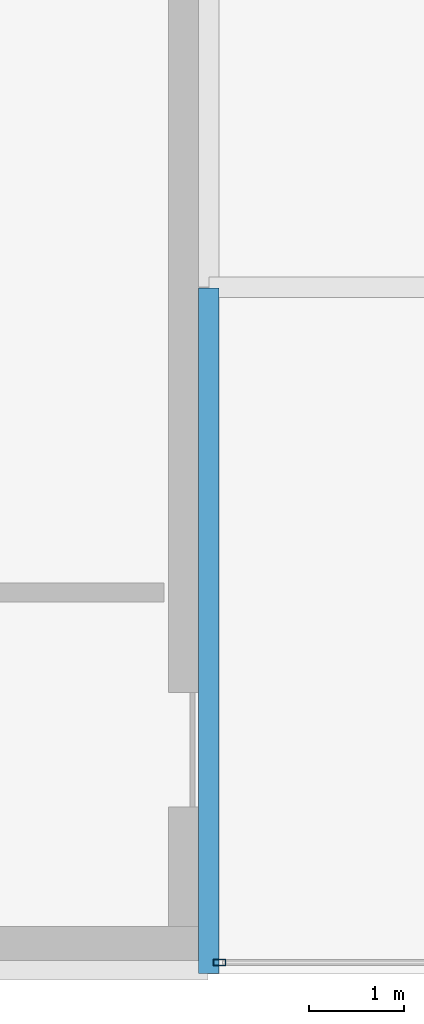
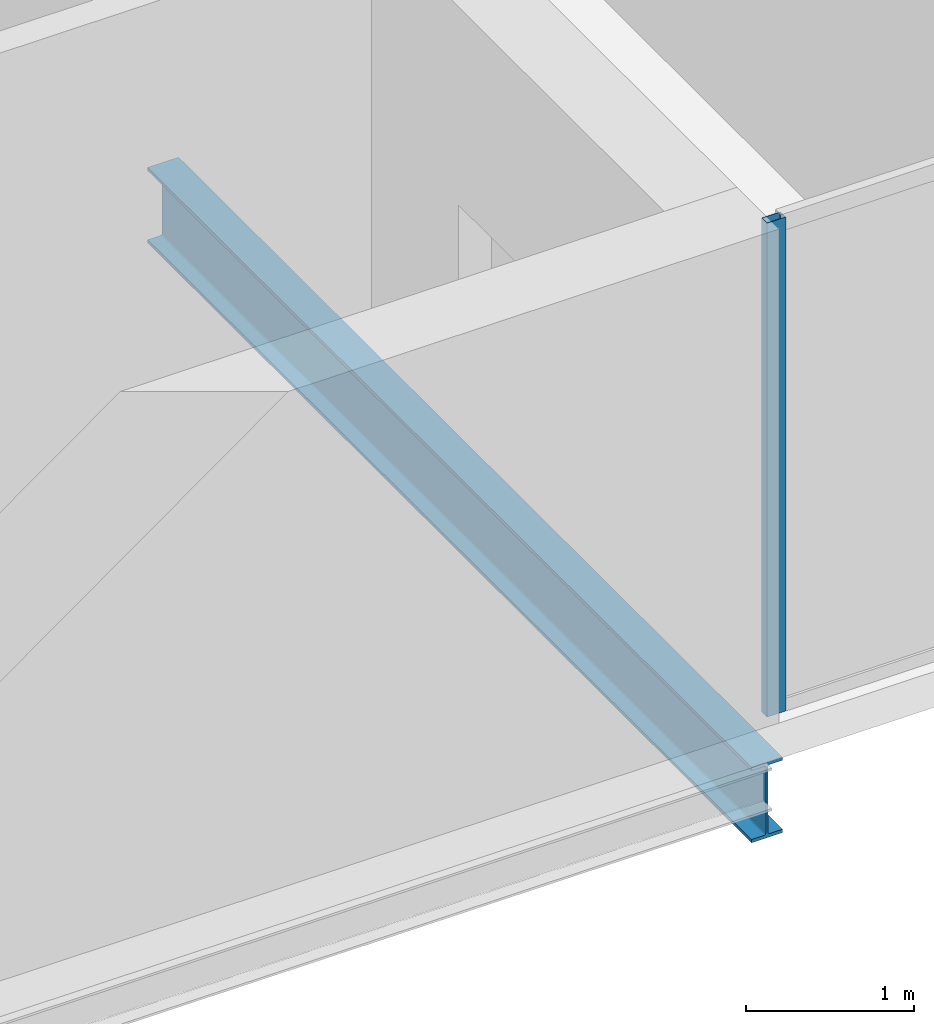
# One storey, part 2 of 15: 1 beam, 1 member, 1 element without a shape of its own.
"""IFC4 building model written with IfcOpenShell, lengths in metres."""

from ifc_helpers import new_model, si_unit, direction, frame, origin, origin_2d, place, context, subcontext, project, spatial, hollow_rectangle, i_section, extrude, material, material_profile, profile_set, type_object, element, aggregate, save


model = new_model("IFC4")

# Units and contexts
model_context = context("Model", 3, precision=1e-05, world=origin(), true_north=direction((0.0, 1.0)))
body_context = subcontext(model_context, "Body", "Model", "MODEL_VIEW")
ifc_project = project(units=[si_unit("LENGTHUNIT", "METRE"), si_unit("AREAUNIT", "SQUARE_METRE"), si_unit("VOLUMEUNIT", "CUBIC_METRE"), si_unit("PLANEANGLEUNIT", "RADIAN"), si_unit("MASSUNIT", "GRAM", prefix="KILO")], contexts=[model_context])

# Site, building, storey
site_placement = place(None, origin())
site = spatial("IfcSite", under=ifc_project, at=site_placement, CompositionType="ELEMENT")
building_placement = place(site_placement, origin())
building = spatial("IfcBuilding", under=site, at=building_placement, Name="Cobrela Telecom Tower", CompositionType="ELEMENT")
storey_placement = place(building_placement, frame((0.0, 0.0, 297.5)))
storey = spatial("IfcBuildingStorey", under=building, at=storey_placement, Name="L78", CompositionType="ELEMENT", Elevation=297.5)

# Beam
ifc_material_1 = material(Name="Steel ASTM A992 Grade 50", Category="steel")
ifc_material_profile_1 = material_profile(ifc_material_1, i_section(OverallWidth=0.212890625, OverallDepth=0.549072265625, WebThickness=0.0146484375, FlangeThickness=0.023681640625, FilletRadius=0.013916015625, at=origin_2d()), Name="W21X93")
ifc_profile_set_1 = profile_set([ifc_material_profile_1], Name="Steel ASTM A992 Grade 50")
beam_type = type_object("IfcBeamType", Name="BM-GIRD-08", PredefinedType="USERDEFINED", material=ifc_profile_set_1)
beam_placement = place(storey_placement, frame((14.320068359375, 7.205078125, -0.534423828125), z_axis=(0.0, 1.0, 0.0), x_axis=(-1.0, 0.0, 0.0)))
element("IfcBeam", 1, at=beam_placement, inside=storey, type_object=beam_type, Name="L78 Primary Girder Y09", ObjectType="GIRDER", PredefinedType="USERDEFINED", context=body_context, shape_type="SweptSolid", body=[
    extrude(i_section(OverallWidth=0.212890625, OverallDepth=0.549072265625, WebThickness=0.0146484375, FlangeThickness=0.023681640625, FilletRadius=0.013916015625, at=origin_2d()), origin(), (0.0, 0.0, 1.0), 7.18994140625),
])

# Curtain wall, member
ifc_material_2 = material(Name="Anodized Bronze Aluminium 6063-T6", Category="aluminium")
curtain_wall_type = type_object("IfcCurtainWallType", Name="CW-SYS-DRUM", PredefinedType="USERDEFINED", material=ifc_material_2)
curtain_wall_placement = place(storey_placement, origin())
curtain_wall = element("IfcCurtainWall", 2, at=curtain_wall_placement, inside=storey, type_object=curtain_wall_type, Name="L78 Unitised Bronze Curtain Wall 11", ObjectType="UNITISED CURTAIN WALL", PredefinedType="USERDEFINED")
ifc_material_profile_2 = material_profile(ifc_material_2, hollow_rectangle(XDim=0.06494140625, YDim=0.1298828125, WallThickness=0.00390625, at=origin_2d()), Name="ALU 65x130x4")
ifc_profile_set_2 = profile_set([ifc_material_profile_2], Name="Anodized Bronze Aluminium 6063-T6")
member_type = type_object("IfcMemberType", Name="CW-SYS-DRUM-MUL", PredefinedType="MULLION", material=ifc_profile_set_2)
member_placement = place(storey_placement, frame((14.4326171875, 7.320068359375, 0.0), z_axis=(0.0, 0.0, 1.0), x_axis=(0.0, -1.0, 0.0)))
member = element("IfcMember", 3, at=member_placement, type_object=member_type, Name="CW-DRUM mullion 3", PredefinedType="MULLION", context=body_context, shape_type="SweptSolid", body=[
    extrude(hollow_rectangle(XDim=0.06494140625, YDim=0.1298828125, WallThickness=0.00390625, at=origin_2d()), origin(), (0.0, 0.0, 1.0), 3.590087890625),
])
aggregate(curtain_wall, [member])

save(model, "model.ifc")
